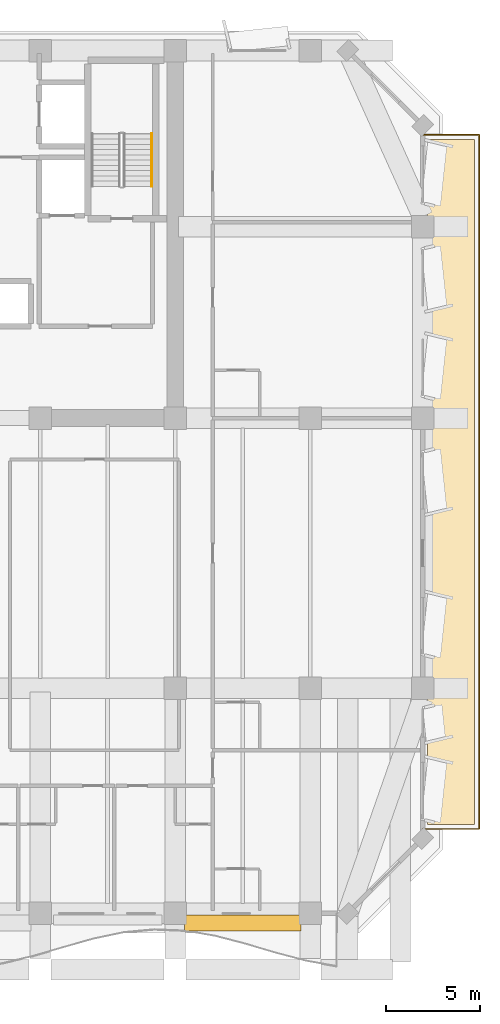
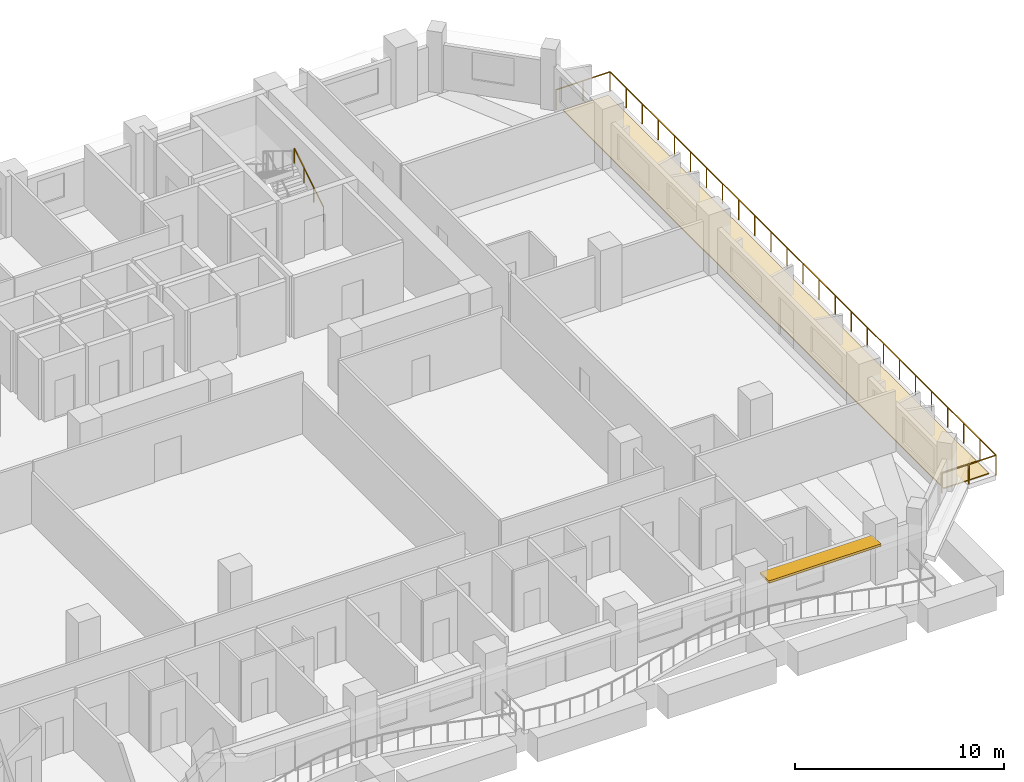
# One storey, part 16 of 16: 2 railings, 1 covering, 1 shading device.
"""IFC4 building model written with IfcOpenShell, lengths in metres."""

from ifc_helpers import new_model, si_unit, direction, frame, origin, origin_2d, place, context, subcontext, project, spatial, polyline, rectangle, outline, extrude, material, layer, layer_set, type_object, element, save


model = new_model("IFC4")

# Units and contexts
model_context = context("Model", 3, precision=1e-05, world=origin(), true_north=direction((0.0, 1.0)))
body_context = subcontext(model_context, "Body", "Model", "MODEL_VIEW")
ifc_project = project(units=[si_unit("LENGTHUNIT", "METRE"), si_unit("AREAUNIT", "SQUARE_METRE"), si_unit("VOLUMEUNIT", "CUBIC_METRE"), si_unit("PLANEANGLEUNIT", "RADIAN"), si_unit("MASSUNIT", "GRAM", prefix="KILO")], contexts=[model_context])

# Site, building, storey
site_placement = place(None, origin())
site = spatial("IfcSite", under=ifc_project, at=site_placement, CompositionType="ELEMENT")
building_placement = place(site_placement, origin())
building = spatial("IfcBuilding", under=site, at=building_placement, Name="Kaelvorn Grand Hotel", CompositionType="ELEMENT")
storey_placement = place(building_placement, frame((0.0, 0.0, 135.35009765625)))
storey = spatial("IfcBuildingStorey", under=building, at=storey_placement, Name="L32", CompositionType="ELEMENT", Elevation=135.35009765625)

# Covering
ifc_material_1 = material(Name="Insulated Elastomeric Waterproofing Roof Membrane")
ifc_layer_1 = layer(ifc_material_1, 0.1201171875)
ifc_layer_set_1 = layer_set([ifc_layer_1], Name="Insulated Elastomeric Waterproofing Roof Membrane")
covering_type = type_object("IfcCoveringType", Name="COV-ROOF-MEMBRANE-120", PredefinedType="ROOFING", material=ifc_layer_set_1)
covering_placement = place(storey_placement, origin())
element("IfcCovering", 1, at=covering_placement, inside=storey, type_object=covering_type, Name="L32 Setback Terrace Waterproofing Membrane E", PredefinedType="ROOFING", context=body_context, shape_type="SweptSolid", body=[
    extrude(outline(polyline([(81.25, 7.75), (83.75, 7.75), (83.75, 44.25), (81.25, 44.25), (81.25, 7.75)])), origin(), (0.0, 0.0, 1.0), 0.059814453125),
])

# Railings
ifc_material_2 = material(Name="Stainless Steel", Category="steel")
railing_type_1 = type_object("IfcRailingType", Name="RL-HANDRAIL-900", PredefinedType="HANDRAIL", material=ifc_material_2)
railing_1_placement = place(storey_placement, frame((66.550048828125, 41.760009765625, 0.172607421875)))
element("IfcRailing", 2, at=railing_1_placement, inside=storey, type_object=railing_type_1, Name="L32 ST3 stair handrail 1", PredefinedType="HANDRAIL", context=body_context, shape_type="SweptSolid", body=[
    extrude(rectangle(XDim=0.048095703125, YDim=0.048095703125, at=origin_2d()), frame((0.0, 0.0, 0.8759765625), z_axis=(0.0, 0.851089632645, 0.525020415988), x_axis=(-1.0, 0.0, 0.0)), (0.0, 0.0, 1.0), 3.2900390625),
    extrude(rectangle(XDim=0.0419921875, YDim=0.0419921875, at=origin_2d()), origin(), (0.0, 0.0, 1.0), 0.851806640625),
    extrude(rectangle(XDim=0.0419921875, YDim=0.0419921875, at=origin_2d()), frame((0.0, 0.933349609375, 0.57568359375)), (0.0, 0.0, 1.0), 0.851806640625),
    extrude(rectangle(XDim=0.0419921875, YDim=0.0419921875, at=origin_2d()), frame((0.0, 1.86669921875, 1.151611328125)), (0.0, 0.0, 1.0), 0.851806640625),
    extrude(rectangle(XDim=0.0419921875, YDim=0.0419921875, at=origin_2d()), frame((0.0, 2.800048828125, 1.727294921875)), (0.0, 0.0, 1.0), 0.851806640625),
])
railing_type_2 = type_object("IfcRailingType", Name="RL-OBS-1200", PredefinedType="BALUSTRADE", material=ifc_material_2)
railing_2_placement = place(storey_placement, frame((81.0, 44.5, 0.0)))
element("IfcRailing", 3, at=railing_2_placement, inside=storey, type_object=railing_type_2, Name="L32 Setback Sky Terrace Balustrade E", PredefinedType="BALUSTRADE", context=body_context, shape_type="SweptSolid", body=[
    extrude(rectangle(XDim=0.048095703125, YDim=0.048095703125, at=origin_2d()), frame((0.0, 0.0, 1.17578125), z_axis=(1.0, 0.0, 0.0), x_axis=(0.0, 1.0, 0.0)), (0.0, 0.0, 1.0), 3.0),
    extrude(rectangle(XDim=0.048095703125, YDim=0.048095703125, at=origin_2d()), frame((3.0, 0.0, 1.17578125), z_axis=(0.0, -1.0, 0.0), x_axis=(1.0, 0.0, 0.0)), (0.0, 0.0, 1.0), 37.0),
    extrude(rectangle(XDim=0.048095703125, YDim=0.048095703125, at=origin_2d()), frame((3.0, -37.0, 1.17578125), z_axis=(-1.0, 0.0, 0.0), x_axis=(0.0, -1.0, 0.0)), (0.0, 0.0, 1.0), 3.0),
    extrude(rectangle(XDim=0.0419921875, YDim=0.0419921875, at=origin_2d()), origin(), (0.0, 0.0, 1.0), 1.15185546875),
    extrude(rectangle(XDim=0.0419921875, YDim=0.0419921875, at=origin_2d()), frame((1.5, 0.0, 0.0)), (0.0, 0.0, 1.0), 1.15185546875),
    extrude(rectangle(XDim=0.0419921875, YDim=0.0419921875, at=origin_2d()), frame((3.0, 0.0, 0.0)), (0.0, 0.0, 1.0), 1.15185546875),
    extrude(rectangle(XDim=0.0419921875, YDim=0.0419921875, at=origin_2d()), frame((3.0, -1.541748046875, 0.0)), (0.0, 0.0, 1.0), 1.15185546875),
    extrude(rectangle(XDim=0.0419921875, YDim=0.0419921875, at=origin_2d()), frame((3.0, -3.083251953125, 0.0)), (0.0, 0.0, 1.0), 1.15185546875),
    extrude(rectangle(XDim=0.0419921875, YDim=0.0419921875, at=origin_2d()), frame((3.0, -4.625, 0.0)), (0.0, 0.0, 1.0), 1.15185546875),
    extrude(rectangle(XDim=0.0419921875, YDim=0.0419921875, at=origin_2d()), frame((3.0, -6.166748046875, 0.0)), (0.0, 0.0, 1.0), 1.15185546875),
    extrude(rectangle(XDim=0.0419921875, YDim=0.0419921875, at=origin_2d()), frame((3.0, -7.708251953125, 0.0)), (0.0, 0.0, 1.0), 1.15185546875),
    extrude(rectangle(XDim=0.0419921875, YDim=0.0419921875, at=origin_2d()), frame((3.0, -9.25, 0.0)), (0.0, 0.0, 1.0), 1.15185546875),
    extrude(rectangle(XDim=0.0419921875, YDim=0.0419921875, at=origin_2d()), frame((3.0, -10.791748046875, 0.0)), (0.0, 0.0, 1.0), 1.15185546875),
    extrude(rectangle(XDim=0.0419921875, YDim=0.0419921875, at=origin_2d()), frame((3.0, -12.333251953125, 0.0)), (0.0, 0.0, 1.0), 1.15185546875),
    extrude(rectangle(XDim=0.0419921875, YDim=0.0419921875, at=origin_2d()), frame((3.0, -13.875, 0.0)), (0.0, 0.0, 1.0), 1.15185546875),
    extrude(rectangle(XDim=0.0419921875, YDim=0.0419921875, at=origin_2d()), frame((3.0, -15.416748046875, 0.0)), (0.0, 0.0, 1.0), 1.15185546875),
    extrude(rectangle(XDim=0.0419921875, YDim=0.0419921875, at=origin_2d()), frame((3.0, -16.958251953125, 0.0)), (0.0, 0.0, 1.0), 1.15185546875),
    extrude(rectangle(XDim=0.0419921875, YDim=0.0419921875, at=origin_2d()), frame((3.0, -18.5, 0.0)), (0.0, 0.0, 1.0), 1.15185546875),
    extrude(rectangle(XDim=0.0419921875, YDim=0.0419921875, at=origin_2d()), frame((3.0, -20.041748046875, 0.0)), (0.0, 0.0, 1.0), 1.15185546875),
    extrude(rectangle(XDim=0.0419921875, YDim=0.0419921875, at=origin_2d()), frame((3.0, -21.583251953125, 0.0)), (0.0, 0.0, 1.0), 1.15185546875),
    extrude(rectangle(XDim=0.0419921875, YDim=0.0419921875, at=origin_2d()), frame((3.0, -23.125, 0.0)), (0.0, 0.0, 1.0), 1.15185546875),
    extrude(rectangle(XDim=0.0419921875, YDim=0.0419921875, at=origin_2d()), frame((3.0, -24.666748046875, 0.0)), (0.0, 0.0, 1.0), 1.15185546875),
    extrude(rectangle(XDim=0.0419921875, YDim=0.0419921875, at=origin_2d()), frame((3.0, -26.208251953125, 0.0)), (0.0, 0.0, 1.0), 1.15185546875),
    extrude(rectangle(XDim=0.0419921875, YDim=0.0419921875, at=origin_2d()), frame((3.0, -27.75, 0.0)), (0.0, 0.0, 1.0), 1.15185546875),
    extrude(rectangle(XDim=0.0419921875, YDim=0.0419921875, at=origin_2d()), frame((3.0, -29.291748046875, 0.0)), (0.0, 0.0, 1.0), 1.15185546875),
    extrude(rectangle(XDim=0.0419921875, YDim=0.0419921875, at=origin_2d()), frame((3.0, -30.833251953125, 0.0)), (0.0, 0.0, 1.0), 1.15185546875),
    extrude(rectangle(XDim=0.0419921875, YDim=0.0419921875, at=origin_2d()), frame((3.0, -32.375, 0.0)), (0.0, 0.0, 1.0), 1.15185546875),
    extrude(rectangle(XDim=0.0419921875, YDim=0.0419921875, at=origin_2d()), frame((3.0, -33.916748046875, 0.0)), (0.0, 0.0, 1.0), 1.15185546875),
    extrude(rectangle(XDim=0.0419921875, YDim=0.0419921875, at=origin_2d()), frame((3.0, -35.458251953125, 0.0)), (0.0, 0.0, 1.0), 1.15185546875),
    extrude(rectangle(XDim=0.0419921875, YDim=0.0419921875, at=origin_2d()), frame((3.0, -37.0, 0.0)), (0.0, 0.0, 1.0), 1.15185546875),
    extrude(rectangle(XDim=0.0419921875, YDim=0.0419921875, at=origin_2d()), frame((1.5, -37.0, 0.0)), (0.0, 0.0, 1.0), 1.15185546875),
    extrude(rectangle(XDim=0.0419921875, YDim=0.0419921875, at=origin_2d()), frame((0.0, -37.0, 0.0)), (0.0, 0.0, 1.0), 1.15185546875),
])

# Shading device
ifc_material_3 = material(Name="Precast concrete C45/55", Category="concrete")
ifc_layer_2 = layer(ifc_material_3, 0.139892578125)
ifc_layer_set_2 = layer_set([ifc_layer_2], Name="Precast concrete C45/55")
shading_device_type = type_object("IfcShadingDeviceType", Name="SHD-SUNSHADE-850", PredefinedType="USERDEFINED", material=ifc_layer_set_2)
shading_device_placement = place(storey_placement, frame((71.39990234375, 2.4951171875, 2.4599609375), z_axis=(0.0, 0.0, 1.0), x_axis=(1.0, 0.0, 0.0)))
element("IfcShadingDevice", 4, at=shading_device_placement, inside=storey, type_object=shading_device_type, Name="L32 Horizontal Concrete Sunshade Band SS-10", ObjectType="SUNSHADE", PredefinedType="USERDEFINED", context=body_context, shape_type="SweptSolid", body=[
    extrude(rectangle(XDim=6.199951171875, YDim=0.85009765625, at=origin_2d()), origin(), (0.0, 0.0, 1.0), 0.139892578125),
])

save(model, "model.ifc")
